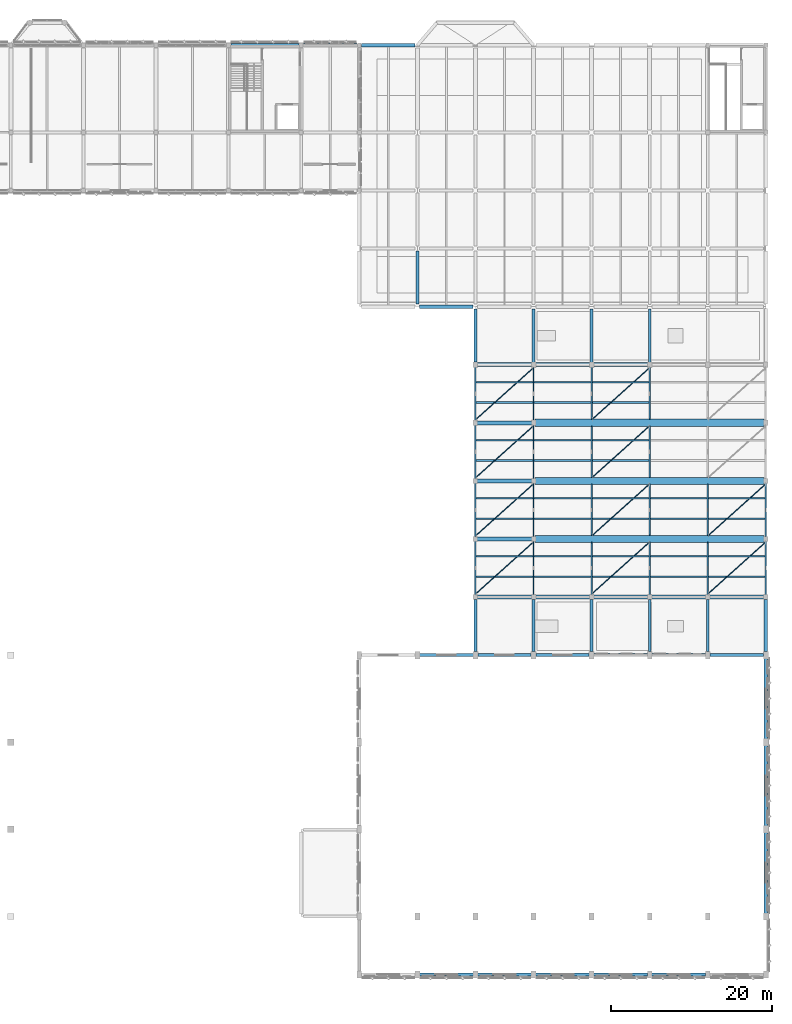
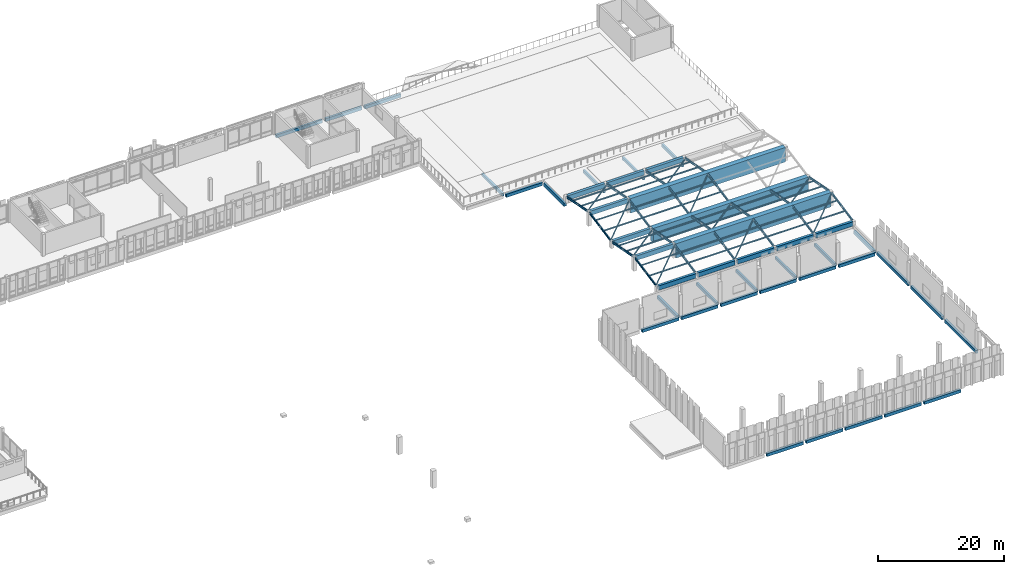
# One storey, part 46 of 72: 63 beams, 42 members.
"""IFC4 building model written with IfcOpenShell, lengths in metres."""

from ifc_helpers import new_model, si_unit, direction, frame, origin, origin_2d, place, context, subcontext, project, spatial, rectangle, hollow_circle, i_section, extrude, material, material_profile, profile_set, type_object, element, save


model = new_model("IFC4")

# Units and contexts
model_context = context("Model", 3, precision=1e-05, world=origin(), true_north=direction((0.0, 1.0)))
body_context = subcontext(model_context, "Body", "Model", "MODEL_VIEW")
ifc_project = project(units=[si_unit("LENGTHUNIT", "METRE"), si_unit("AREAUNIT", "SQUARE_METRE"), si_unit("VOLUMEUNIT", "CUBIC_METRE"), si_unit("PLANEANGLEUNIT", "RADIAN"), si_unit("MASSUNIT", "GRAM", prefix="KILO")], contexts=[model_context])

# Site, building, storey
site_placement = place(None, origin())
site = spatial("IfcSite", under=ifc_project, at=site_placement, CompositionType="ELEMENT")
building_placement = place(site_placement, origin())
building = spatial("IfcBuilding", under=site, at=building_placement, Name="Lusvemor Sports Hall", CompositionType="ELEMENT")
storey_placement = place(building_placement, frame((0.0, 0.0, 15.0)))
storey = spatial("IfcBuildingStorey", under=building, at=storey_placement, Name="L03", CompositionType="ELEMENT", Elevation=15.0)

# Beams
ifc_material_1 = material(Name="Concrete C40/50", Category="concrete")
ifc_material_profile_1 = material_profile(ifc_material_1, rectangle(XDim=0.35009765625, YDim=0.550048828125, at=origin_2d()), Name="RC350x550")
ifc_profile_set_1 = profile_set([ifc_material_profile_1], Name="Concrete C40/50")
beam_type_1 = type_object("IfcBeamType", Name="BEAM_RC_550", PredefinedType="BEAM", material=ifc_profile_set_1)
beam_1_placement = place(storey_placement, frame((126.0, 83.115966796875, -0.570068359375), z_axis=(0.0, 1.0, 0.0), x_axis=(-1.0, 0.0, 0.0)))
element("IfcBeam", 1, at=beam_1_placement, inside=storey, type_object=beam_type_1, Name="Beam L03 14:L-M", PredefinedType="BEAM", context=body_context, shape_type="SweptSolid", body=[
    extrude(rectangle(XDim=0.35009765625, YDim=0.550048828125, at=origin_2d()), origin(), (0.0, 0.0, 1.0), 6.568115234375),
])
beam_2_placement = place(storey_placement, frame((140.39990234375, 40.0458984375, -0.60498046875), z_axis=(0.0, 1.0, 0.0), x_axis=(-1.0, 0.0, 0.0)))
element("IfcBeam", 2, at=beam_2_placement, inside=storey, type_object=beam_type_1, Name="Beam L03 16:E-F", PredefinedType="BEAM", context=body_context, shape_type="SweptSolid", body=[
    extrude(rectangle(XDim=0.35009765625, YDim=0.550048828125, at=origin_2d()), origin(), (0.0, 0.0, 1.0), 6.4580078125),
])
beam_3_placement = place(storey_placement, frame((140.39990234375, 75.89599609375, -0.60498046875), z_axis=(0.0, 1.0, 0.0), x_axis=(-1.0, 0.0, 0.0)))
element("IfcBeam", 3, at=beam_3_placement, inside=storey, type_object=beam_type_1, Name="Beam L03 16:K-L", PredefinedType="BEAM", context=body_context, shape_type="SweptSolid", body=[
    extrude(rectangle(XDim=0.35009765625, YDim=0.550048828125, at=origin_2d()), origin(), (0.0, 0.0, 1.0), 6.60791015625),
])
beam_4_placement = place(storey_placement, frame((147.60009765625, 40.0458984375, -0.60498046875), z_axis=(0.0, 1.0, 0.0), x_axis=(-1.0, 0.0, 0.0)))
element("IfcBeam", 4, at=beam_4_placement, inside=storey, type_object=beam_type_1, Name="Beam L03 17:E-F", PredefinedType="BEAM", context=body_context, shape_type="SweptSolid", body=[
    extrude(rectangle(XDim=0.35009765625, YDim=0.550048828125, at=origin_2d()), origin(), (0.0, 0.0, 1.0), 6.4580078125),
])
beam_5_placement = place(storey_placement, frame((147.60009765625, 75.89599609375, -0.60498046875), z_axis=(0.0, 1.0, 0.0), x_axis=(-1.0, 0.0, 0.0)))
element("IfcBeam", 5, at=beam_5_placement, inside=storey, type_object=beam_type_1, Name="Beam L03 17:K-L", PredefinedType="BEAM", context=body_context, shape_type="SweptSolid", body=[
    extrude(rectangle(XDim=0.35009765625, YDim=0.550048828125, at=origin_2d()), origin(), (0.0, 0.0, 1.0), 6.60791015625),
])
beam_6_placement = place(storey_placement, frame((154.800048828125, 40.0458984375, -0.60498046875), z_axis=(0.0, 1.0, 0.0), x_axis=(-1.0, 0.0, 0.0)))
element("IfcBeam", 6, at=beam_6_placement, inside=storey, type_object=beam_type_1, Name="Beam L03 18:E-F", PredefinedType="BEAM", context=body_context, shape_type="SweptSolid", body=[
    extrude(rectangle(XDim=0.35009765625, YDim=0.550048828125, at=origin_2d()), origin(), (0.0, 0.0, 1.0), 6.4580078125),
])
beam_7_placement = place(storey_placement, frame((154.800048828125, 75.89599609375, -0.60498046875), z_axis=(0.0, 1.0, 0.0), x_axis=(-1.0, 0.0, 0.0)))
element("IfcBeam", 7, at=beam_7_placement, inside=storey, type_object=beam_type_1, Name="Beam L03 18:K-L", PredefinedType="BEAM", context=body_context, shape_type="SweptSolid", body=[
    extrude(rectangle(XDim=0.35009765625, YDim=0.550048828125, at=origin_2d()), origin(), (0.0, 0.0, 1.0), 6.60791015625),
])
beam_8_placement = place(storey_placement, frame((162.0, 40.0458984375, -0.60498046875), z_axis=(0.0, 1.0, 0.0), x_axis=(-1.0, 0.0, 0.0)))
element("IfcBeam", 8, at=beam_8_placement, inside=storey, type_object=beam_type_1, Name="Beam L03 19:E-F", PredefinedType="BEAM", context=body_context, shape_type="SweptSolid", body=[
    extrude(rectangle(XDim=0.35009765625, YDim=0.550048828125, at=origin_2d()), origin(), (0.0, 0.0, 1.0), 6.4580078125),
])
ifc_material_2 = material(Name="Steel S355", Category="steel")
ifc_material_profile_2 = material_profile(ifc_material_2, i_section(OverallWidth=0.177978515625, OverallDepth=0.406982421875, WebThickness=0.0078125, FlangeThickness=0.0126953125, FilletRadius=0.01611328125, at=origin_2d()), Name="W410x60.0")
ifc_profile_set_2 = profile_set([ifc_material_profile_2], Name="Steel S355")
beam_type_2 = type_object("IfcBeamType", Name="BEAM_ST_410", PredefinedType="BEAM", material=ifc_profile_set_2)
for number, where, z_axis, x_axis, name in (
    (9, (133.199951171875, 47.0400390625, 1.177978515625), (0.0, 0.98161594648, 0.190866795479), (-1.0, 0.0, 0.0), "Folded North-Light Rafter 15-1"),
    (10, (140.39990234375, 47.0400390625, 1.177978515625), (0.0, 0.98161594648, 0.190866795479), (-1.0, 0.0, 0.0), "Folded North-Light Rafter 16-1"),
):
    element("IfcBeam", number, at=place(storey_placement, frame(where, z_axis=z_axis, x_axis=x_axis)), inside=storey, type_object=beam_type_2, Name=name, PredefinedType="BEAM", context=body_context, shape_type="SweptSolid", body=[
        extrude(i_section(OverallWidth=0.177978515625, OverallDepth=0.406982421875, WebThickness=0.0078125, FlangeThickness=0.0126953125, FilletRadius=0.01611328125, at=origin_2d()), origin(), (0.0, 0.0, 1.0), 6.845703125),
    ])
for number, where, z_axis, x_axis, name in (
    (11, (147.60009765625, 47.0400390625, 1.177978515625), (0.0, 0.98162112817, 0.190840144442), (-1.0, 0.0, 0.0), "Folded North-Light Rafter 17-1"),
    (12, (154.800048828125, 47.0400390625, 1.177978515625), (0.0, 0.98162112817, 0.190840144442), (-1.0, 0.0, 0.0), "Folded North-Light Rafter 18-1"),
    (13, (162.0, 47.0400390625, 1.177978515625), (0.0, 0.98162112817, 0.190840144442), (-1.0, 0.0, 0.0), "Folded North-Light Rafter 19-1"),
):
    element("IfcBeam", number, at=place(storey_placement, frame(where, z_axis=z_axis, x_axis=x_axis)), inside=storey, type_object=beam_type_2, Name=name, PredefinedType="BEAM", context=body_context, shape_type="SweptSolid", body=[
        extrude(i_section(OverallWidth=0.177978515625, OverallDepth=0.406982421875, WebThickness=0.0078125, FlangeThickness=0.0126953125, FilletRadius=0.01611328125, at=origin_2d()), origin(), (0.0, 0.0, 1.0), 6.64208984375),
    ])
for number, where, z_axis, x_axis, name in (
    (14, (169.199951171875, 47.0400390625, 1.177978515625), (0.0, 0.98161594648, 0.190866795479), (-1.0, 0.0, 0.0), "Folded North-Light Rafter 20-1"),
    (15, (133.199951171875, 54.239990234375, 2.484619140625), (0.0, 0.98161594648, -0.190866795479), (-1.0, 0.0, 0.0), "Folded North-Light Rafter 15-2"),
    (16, (140.39990234375, 54.239990234375, 2.484619140625), (0.0, 0.98161594648, -0.190866795479), (-1.0, 0.0, 0.0), "Folded North-Light Rafter 16-2"),
):
    element("IfcBeam", number, at=place(storey_placement, frame(where, z_axis=z_axis, x_axis=x_axis)), inside=storey, type_object=beam_type_2, Name=name, PredefinedType="BEAM", context=body_context, shape_type="SweptSolid", body=[
        extrude(i_section(OverallWidth=0.177978515625, OverallDepth=0.406982421875, WebThickness=0.0078125, FlangeThickness=0.0126953125, FilletRadius=0.01611328125, at=origin_2d()), origin(), (0.0, 0.0, 1.0), 6.845703125),
    ])
for number, where, z_axis, x_axis, name in (
    (17, (147.60009765625, 54.43994140625, 2.445556640625), (0.0, 0.981619533788, -0.190848345253), (-1.0, 0.0, 0.0), "Folded North-Light Rafter 17-2"),
    (18, (154.800048828125, 54.43994140625, 2.445556640625), (0.0, 0.981619533788, -0.190848345253), (-1.0, 0.0, 0.0), "Folded North-Light Rafter 18-2"),
    (19, (162.0, 54.43994140625, 2.445556640625), (0.0, 0.981619533788, -0.190848345253), (-1.0, 0.0, 0.0), "Folded North-Light Rafter 19-2"),
):
    element("IfcBeam", number, at=place(storey_placement, frame(where, z_axis=z_axis, x_axis=x_axis)), inside=storey, type_object=beam_type_2, Name=name, PredefinedType="BEAM", context=body_context, shape_type="SweptSolid", body=[
        extrude(i_section(OverallWidth=0.177978515625, OverallDepth=0.406982421875, WebThickness=0.0078125, FlangeThickness=0.0126953125, FilletRadius=0.01611328125, at=origin_2d()), origin(), (0.0, 0.0, 1.0), 6.4384765625),
    ])
for number, where, z_axis, x_axis, name in (
    (20, (169.199951171875, 54.239990234375, 2.484619140625), (0.0, 0.98161594648, -0.190866795479), (-1.0, 0.0, 0.0), "Folded North-Light Rafter 20-2"),
    (21, (133.199951171875, 61.43994140625, 1.177978515625), (0.0, 0.98161594648, 0.190866795479), (-1.0, 0.0, 0.0), "Folded North-Light Rafter 15-3"),
    (22, (140.39990234375, 61.43994140625, 1.177978515625), (0.0, 0.98161594648, 0.190866795479), (-1.0, 0.0, 0.0), "Folded North-Light Rafter 16-3"),
):
    element("IfcBeam", number, at=place(storey_placement, frame(where, z_axis=z_axis, x_axis=x_axis)), inside=storey, type_object=beam_type_2, Name=name, PredefinedType="BEAM", context=body_context, shape_type="SweptSolid", body=[
        extrude(i_section(OverallWidth=0.177978515625, OverallDepth=0.406982421875, WebThickness=0.0078125, FlangeThickness=0.0126953125, FilletRadius=0.01611328125, at=origin_2d()), origin(), (0.0, 0.0, 1.0), 6.845703125),
    ])
for number, where, z_axis, x_axis, name in (
    (23, (147.60009765625, 61.639892578125, 1.216796875), (0.0, 0.981619533788, 0.190848345253), (-1.0, 0.0, 0.0), "Folded North-Light Rafter 17-3"),
    (24, (154.800048828125, 61.639892578125, 1.216796875), (0.0, 0.981619533788, 0.190848345253), (-1.0, 0.0, 0.0), "Folded North-Light Rafter 18-3"),
):
    element("IfcBeam", number, at=place(storey_placement, frame(where, z_axis=z_axis, x_axis=x_axis)), inside=storey, type_object=beam_type_2, Name=name, PredefinedType="BEAM", context=body_context, shape_type="SweptSolid", body=[
        extrude(i_section(OverallWidth=0.177978515625, OverallDepth=0.406982421875, WebThickness=0.0078125, FlangeThickness=0.0126953125, FilletRadius=0.01611328125, at=origin_2d()), origin(), (0.0, 0.0, 1.0), 6.4384765625),
    ])
for number, where, z_axis, x_axis, name in (
    (25, (133.199951171875, 68.639892578125, 2.484619140625), (0.0, 0.981617245609, -0.190860114019), (-1.0, 0.0, 0.0), "Folded North-Light Rafter 15-4"),
    (26, (140.39990234375, 68.639892578125, 2.484619140625), (0.0, 0.981617245609, -0.190860114019), (-1.0, 0.0, 0.0), "Folded North-Light Rafter 16-4"),
):
    element("IfcBeam", number, at=place(storey_placement, frame(where, z_axis=z_axis, x_axis=x_axis)), inside=storey, type_object=beam_type_2, Name=name, PredefinedType="BEAM", context=body_context, shape_type="SweptSolid", body=[
        extrude(i_section(OverallWidth=0.177978515625, OverallDepth=0.406982421875, WebThickness=0.0078125, FlangeThickness=0.0126953125, FilletRadius=0.01611328125, at=origin_2d()), origin(), (0.0, 0.0, 1.0), 6.845947265625),
    ])
for number, where, z_axis, x_axis, name in (
    (27, (147.60009765625, 68.840087890625, 2.445556640625), (0.0, 0.98162112817, -0.190840144442), (-1.0, 0.0, 0.0), "Folded North-Light Rafter 17-4"),
    (28, (154.800048828125, 68.840087890625, 2.445556640625), (0.0, 0.98162112817, -0.190840144442), (-1.0, 0.0, 0.0), "Folded North-Light Rafter 18-4"),
):
    element("IfcBeam", number, at=place(storey_placement, frame(where, z_axis=z_axis, x_axis=x_axis)), inside=storey, type_object=beam_type_2, Name=name, PredefinedType="BEAM", context=body_context, shape_type="SweptSolid", body=[
        extrude(i_section(OverallWidth=0.177978515625, OverallDepth=0.406982421875, WebThickness=0.0078125, FlangeThickness=0.0126953125, FilletRadius=0.01611328125, at=origin_2d()), origin(), (0.0, 0.0, 1.0), 6.64208984375),
    ])

# Members
ifc_material_3 = material(Name="Steel S355", Category="steel")
ifc_material_profile_3 = material_profile(ifc_material_3, hollow_circle(Radius=0.06982421875, WallThickness=0.008056640625, at=origin_2d()), Name="CHS139.7x8.0")
ifc_profile_set_3 = profile_set([ifc_material_profile_3], Name="Steel S355")
member_type_1 = type_object("IfcMemberType", Name="BRACE_CLIMB_139", PredefinedType="BRACE", material=ifc_profile_set_3)
for number, where, z_axis, x_axis, name in (
    (29, (133.280029296875, 47.239990234375, 1.070068359375), (0.736117708702, 0.660836424094, 0.146376021005), (-0.668031778841, 0.744132745187, 0.0), "Climbing Roof Brace 15-1"),
    (30, (147.679931640625, 47.239990234375, 1.070068359375), (0.736117708702, 0.660836424094, 0.146376021005), (-0.668031778841, 0.744132745187, 0.0), "Climbing Roof Brace 17-1"),
    (31, (162.080078125, 47.239990234375, 1.070068359375), (0.736117708702, 0.660836424094, 0.146376021005), (-0.668031778841, 0.744132745187, 0.0), "Climbing Roof Brace 19-1"),
    (32, (133.280029296875, 54.43994140625, 2.469970703125), (0.736117708702, 0.660836424094, -0.146376021005), (-0.668031778841, 0.744132745187, 0.0), "Climbing Roof Brace 15-2"),
    (33, (147.679931640625, 54.43994140625, 2.469970703125), (0.736117708702, 0.660836424094, -0.146376021005), (-0.668031778841, 0.744132745187, 0.0), "Climbing Roof Brace 17-2"),
    (34, (162.080078125, 54.43994140625, 2.469970703125), (0.736117708702, 0.660836424094, -0.146376021005), (-0.668031778841, 0.744132745187, 0.0), "Climbing Roof Brace 19-2"),
    (35, (133.280029296875, 61.639892578125, 1.070068359375), (0.736117708702, 0.660836424094, 0.146376021005), (-0.668031778841, 0.744132745187, 0.0), "Climbing Roof Brace 15-3"),
    (36, (147.679931640625, 61.639892578125, 1.070068359375), (0.736117708702, 0.660836424094, 0.146376021005), (-0.668031778841, 0.744132745187, 0.0), "Climbing Roof Brace 17-3"),
):
    element("IfcMember", number, at=place(storey_placement, frame(where, z_axis=z_axis, x_axis=x_axis)), inside=storey, type_object=member_type_1, Name=name, PredefinedType="BRACE", context=body_context, shape_type="SweptSolid", body=[
        extrude(hollow_circle(Radius=0.06982421875, WallThickness=0.008056640625, at=origin_2d()), origin(), (0.0, 0.0, 1.0), 9.563720703125),
    ])
for number, where, z_axis, x_axis, name in (
    (37, (133.280029296875, 68.840087890625, 2.469970703125), (0.736130126829, 0.66082204408, -0.146378490333), (-0.668017488997, 0.744145573388, 0.0), "Climbing Roof Brace 15-4"),
    (38, (147.679931640625, 68.840087890625, 2.469970703125), (0.736130126829, 0.66082204408, -0.146378490333), (-0.668017488997, 0.744145573388, 0.0), "Climbing Roof Brace 17-4"),
):
    element("IfcMember", number, at=place(storey_placement, frame(where, z_axis=z_axis, x_axis=x_axis)), inside=storey, type_object=member_type_1, Name=name, PredefinedType="BRACE", context=body_context, shape_type="SweptSolid", body=[
        extrude(hollow_circle(Radius=0.06982421875, WallThickness=0.008056640625, at=origin_2d()), origin(), (0.0, 0.0, 1.0), 9.5634765625),
    ])

# Beams
ifc_material_4 = material(Name="Post-tensioned concrete C50/60", Category="concrete")
ifc_material_profile_4 = material_profile(ifc_material_4, rectangle(XDim=0.89990234375, YDim=2.800048828125, at=origin_2d()), Name="RC900x2800")
ifc_profile_set_4 = profile_set([ifc_material_profile_4], Name="Post-tensioned concrete C50/60")
beam_type_3 = type_object("IfcBeamType", Name="GIRD_CLIMB_2800", PredefinedType="T_BEAM", material=ifc_profile_set_4)
for number, where, z_axis, x_axis, name in (
    (39, (140.60009765625, 54.0, 1.35009765625), (1.0, 0.0, 0.0), (0.0, 1.0, 0.0), "Climbing Hall Long-Span Roof Girder G"),
    (40, (140.60009765625, 61.199951171875, -0.050048828125), (1.0, 0.0, 0.0), (0.0, 1.0, 0.0), "Climbing Hall Long-Span Roof Girder H"),
    (41, (140.60009765625, 68.39990234375, 1.35009765625), (1.0, 0.0, 0.0), (0.0, 1.0, 0.0), "Climbing Hall Long-Span Roof Girder J"),
):
    element("IfcBeam", number, at=place(storey_placement, frame(where, z_axis=z_axis, x_axis=x_axis)), inside=storey, type_object=beam_type_3, Name=name, PredefinedType="T_BEAM", context=body_context, shape_type="SweptSolid", body=[
        extrude(rectangle(XDim=0.89990234375, YDim=2.800048828125, at=origin_2d()), origin(), (0.0, 0.0, 1.0), 28.39990234375),
    ])
ifc_material_5 = material(Name="Concrete C40/50", Category="concrete")
ifc_material_profile_5 = material_profile(ifc_material_5, rectangle(XDim=0.5, YDim=0.85009765625, at=origin_2d()), Name="RC500x850")
ifc_profile_set_5 = profile_set([ifc_material_profile_5], Name="Concrete C40/50")
beam_type_4 = type_object("IfcBeamType", Name="GIRD_RC_850", PredefinedType="T_BEAM", material=ifc_profile_set_5)
beam_9_placement = place(storey_placement, frame((133.39990234375, 46.800048828125, 0.925048828125), z_axis=(1.0, 0.0, 0.0), x_axis=(0.0, 1.0, 0.0)))
element("IfcBeam", 42, at=beam_9_placement, inside=storey, type_object=beam_type_4, Name="Climbing Gallery Roof Girder F", PredefinedType="T_BEAM", context=body_context, shape_type="SweptSolid", body=[
    extrude(rectangle(XDim=0.5, YDim=0.85009765625, at=origin_2d()), origin(), (0.0, 0.0, 1.0), 6.800048828125),
])
beam_10_placement = place(storey_placement, frame((140.6201171875, 46.800048828125, 0.925048828125), z_axis=(1.0, 0.0, 0.0), x_axis=(0.0, 1.0, 0.0)))
element("IfcBeam", 43, at=beam_10_placement, inside=storey, type_object=beam_type_4, Name="Climbing Perimeter Eave Girder F:16-17", PredefinedType="T_BEAM", context=body_context, shape_type="SweptSolid", body=[
    extrude(rectangle(XDim=0.5, YDim=0.85009765625, at=origin_2d()), origin(), (0.0, 0.0, 1.0), 6.759765625),
])
for number, where, z_axis, x_axis, name in (
    (44, (147.820068359375, 46.800048828125, 0.925048828125), (1.0, 0.0, 0.0), (0.0, 1.0, 0.0), "Climbing Perimeter Eave Girder F:17-18"),
    (45, (155.02001953125, 46.800048828125, 0.925048828125), (1.0, 0.0, 0.0), (0.0, 1.0, 0.0), "Climbing Perimeter Eave Girder F:18-19"),
    (46, (162.219970703125, 46.800048828125, 0.925048828125), (1.0, 0.0, 0.0), (0.0, 1.0, 0.0), "Climbing Perimeter Eave Girder F:19-20"),
):
    element("IfcBeam", number, at=place(storey_placement, frame(where, z_axis=z_axis, x_axis=x_axis)), inside=storey, type_object=beam_type_4, Name=name, PredefinedType="T_BEAM", context=body_context, shape_type="SweptSolid", body=[
        extrude(rectangle(XDim=0.5, YDim=0.85009765625, at=origin_2d()), origin(), (0.0, 0.0, 1.0), 6.760009765625),
    ])
for number, where, z_axis, x_axis, name in (
    (47, (133.39990234375, 54.0, 2.324951171875), (1.0, 0.0, 0.0), (0.0, 1.0, 0.0), "Climbing Gallery Roof Girder G"),
    (48, (133.39990234375, 61.199951171875, 0.925048828125), (1.0, 0.0, 0.0), (0.0, 1.0, 0.0), "Climbing Gallery Roof Girder H"),
    (49, (133.39990234375, 68.39990234375, 2.324951171875), (1.0, 0.0, 0.0), (0.0, 1.0, 0.0), "Climbing Gallery Roof Girder J"),
    (50, (133.39990234375, 75.60009765625, 0.925048828125), (1.0, 0.0, 0.0), (0.0, 1.0, 0.0), "Climbing Gallery Roof Girder K"),
):
    element("IfcBeam", number, at=place(storey_placement, frame(where, z_axis=z_axis, x_axis=x_axis)), inside=storey, type_object=beam_type_4, Name=name, PredefinedType="T_BEAM", context=body_context, shape_type="SweptSolid", body=[
        extrude(rectangle(XDim=0.5, YDim=0.85009765625, at=origin_2d()), origin(), (0.0, 0.0, 1.0), 6.800048828125),
    ])
beam_11_placement = place(storey_placement, frame((140.6201171875, 75.60009765625, 0.925048828125), z_axis=(1.0, 0.0, 0.0), x_axis=(0.0, 1.0, 0.0)))
element("IfcBeam", 51, at=beam_11_placement, inside=storey, type_object=beam_type_4, Name="Climbing Perimeter Eave Girder K:16-17", PredefinedType="T_BEAM", context=body_context, shape_type="SweptSolid", body=[
    extrude(rectangle(XDim=0.5, YDim=0.85009765625, at=origin_2d()), origin(), (0.0, 0.0, 1.0), 6.759765625),
])
beam_12_placement = place(storey_placement, frame((147.820068359375, 75.60009765625, 0.925048828125), z_axis=(1.0, 0.0, 0.0), x_axis=(0.0, 1.0, 0.0)))
element("IfcBeam", 52, at=beam_12_placement, inside=storey, type_object=beam_type_4, Name="Climbing Perimeter Eave Girder K:17-18", PredefinedType="T_BEAM", context=body_context, shape_type="SweptSolid", body=[
    extrude(rectangle(XDim=0.5, YDim=0.85009765625, at=origin_2d()), origin(), (0.0, 0.0, 1.0), 6.760009765625),
])

# Members
ifc_material_6 = material(Name="Steel S355", Category="steel")
ifc_material_profile_6 = material_profile(ifc_material_6, i_section(OverallWidth=0.202880859375, OverallDepth=0.202880859375, WebThickness=0.007080078125, FlangeThickness=0.010986328125, FilletRadius=0.010009765625, at=origin_2d()), Name="W200x46.1")
ifc_profile_set_6 = profile_set([ifc_material_profile_6], Name="Steel S355")
member_type_2 = type_object("IfcMemberType", Name="PURL_CLIMB_200H", PredefinedType="PURLIN", material=ifc_profile_set_6)
for number, where, z_axis, x_axis, name in (
    (53, (133.280029296875, 49.320068359375, 1.709228515625), (1.0, 0.0, 0.0), (0.0, 1.0, 0.0), "Sawtooth Purlin 15-1-1"),
    (54, (140.47998046875, 49.320068359375, 1.709228515625), (1.0, 0.0, 0.0), (0.0, 1.0, 0.0), "Sawtooth Purlin 16-1-1"),
    (55, (147.679931640625, 49.320068359375, 1.709228515625), (1.0, 0.0, 0.0), (0.0, 1.0, 0.0), "Sawtooth Purlin 17-1-1"),
    (56, (154.8798828125, 49.320068359375, 1.709228515625), (1.0, 0.0, 0.0), (0.0, 1.0, 0.0), "Sawtooth Purlin 18-1-1"),
    (57, (162.080078125, 49.320068359375, 1.709228515625), (1.0, 0.0, 0.0), (0.0, 1.0, 0.0), "Sawtooth Purlin 19-1-1"),
    (58, (133.280029296875, 56.52001953125, 2.12939453125), (1.0, 0.0, 0.0), (0.0, 1.0, 0.0), "Sawtooth Purlin 15-2-1"),
    (59, (140.47998046875, 56.52001953125, 2.12939453125), (1.0, 0.0, 0.0), (0.0, 1.0, 0.0), "Sawtooth Purlin 16-2-1"),
    (60, (147.679931640625, 56.52001953125, 2.12939453125), (1.0, 0.0, 0.0), (0.0, 1.0, 0.0), "Sawtooth Purlin 17-2-1"),
    (61, (154.8798828125, 56.52001953125, 2.12939453125), (1.0, 0.0, 0.0), (0.0, 1.0, 0.0), "Sawtooth Purlin 18-2-1"),
    (62, (162.080078125, 56.52001953125, 2.12939453125), (1.0, 0.0, 0.0), (0.0, 1.0, 0.0), "Sawtooth Purlin 19-2-1"),
    (63, (133.280029296875, 63.719970703125, 1.709228515625), (1.0, 0.0, 0.0), (0.0, 1.0, 0.0), "Sawtooth Purlin 15-3-1"),
    (64, (140.47998046875, 63.719970703125, 1.709228515625), (1.0, 0.0, 0.0), (0.0, 1.0, 0.0), "Sawtooth Purlin 16-3-1"),
    (65, (147.679931640625, 63.719970703125, 1.709228515625), (1.0, 0.0, 0.0), (0.0, 1.0, 0.0), "Sawtooth Purlin 17-3-1"),
    (66, (133.280029296875, 70.919921875, 2.12939453125), (1.0, 0.0, 0.0), (0.0, 1.0, 0.0), "Sawtooth Purlin 15-4-1"),
    (67, (140.47998046875, 70.919921875, 2.12939453125), (1.0, 0.0, 0.0), (0.0, 1.0, 0.0), "Sawtooth Purlin 16-4-1"),
    (68, (147.679931640625, 70.919921875, 2.12939453125), (1.0, 0.0, 0.0), (0.0, 1.0, 0.0), "Sawtooth Purlin 17-4-1"),
):
    element("IfcMember", number, at=place(storey_placement, frame(where, z_axis=z_axis, x_axis=x_axis)), inside=storey, type_object=member_type_2, Name=name, PredefinedType="PURLIN", context=body_context, shape_type="SweptSolid", body=[
        extrude(i_section(OverallWidth=0.202880859375, OverallDepth=0.202880859375, WebThickness=0.007080078125, FlangeThickness=0.010986328125, FilletRadius=0.010009765625, at=origin_2d()), origin(), (0.0, 0.0, 1.0), 7.0400390625),
    ])
ifc_material_7 = material(Name="Steel S355", Category="steel")
ifc_material_profile_7 = material_profile(ifc_material_7, i_section(OverallWidth=0.1650390625, OverallDepth=0.200927734375, WebThickness=0.006103515625, FlangeThickness=0.01025390625, FilletRadius=0.010009765625, at=origin_2d()), Name="W200x35.9")
ifc_profile_set_7 = profile_set([ifc_material_profile_7], Name="Steel S355")
member_type_3 = type_object("IfcMemberType", Name="PURL_CLIMB_200M", PredefinedType="PURLIN", material=ifc_profile_set_7)
for number, where, z_axis, x_axis, name in (
    (69, (133.280029296875, 51.840087890625, 2.2041015625), (1.0, 0.0, 0.0), (0.0, 1.0, 0.0), "Sawtooth Purlin 15-1-2"),
    (70, (140.47998046875, 51.840087890625, 2.2041015625), (1.0, 0.0, 0.0), (0.0, 1.0, 0.0), "Sawtooth Purlin 16-1-2"),
    (71, (147.679931640625, 51.840087890625, 2.2041015625), (1.0, 0.0, 0.0), (0.0, 1.0, 0.0), "Sawtooth Purlin 17-1-2"),
    (72, (154.8798828125, 51.840087890625, 2.2041015625), (1.0, 0.0, 0.0), (0.0, 1.0, 0.0), "Sawtooth Purlin 18-1-2"),
    (73, (162.080078125, 51.840087890625, 2.2041015625), (1.0, 0.0, 0.0), (0.0, 1.0, 0.0), "Sawtooth Purlin 19-1-2"),
    (74, (133.280029296875, 59.0400390625, 1.64404296875), (1.0, 0.0, 0.0), (0.0, 1.0, 0.0), "Sawtooth Purlin 15-2-2"),
    (75, (140.47998046875, 59.0400390625, 1.64404296875), (1.0, 0.0, 0.0), (0.0, 1.0, 0.0), "Sawtooth Purlin 16-2-2"),
    (76, (147.679931640625, 59.0400390625, 1.64404296875), (1.0, 0.0, 0.0), (0.0, 1.0, 0.0), "Sawtooth Purlin 17-2-2"),
    (77, (154.8798828125, 59.0400390625, 1.64404296875), (1.0, 0.0, 0.0), (0.0, 1.0, 0.0), "Sawtooth Purlin 18-2-2"),
    (78, (162.080078125, 59.0400390625, 1.64404296875), (1.0, 0.0, 0.0), (0.0, 1.0, 0.0), "Sawtooth Purlin 19-2-2"),
    (79, (133.280029296875, 66.239990234375, 2.2041015625), (1.0, 0.0, 0.0), (0.0, 1.0, 0.0), "Sawtooth Purlin 15-3-2"),
    (80, (140.47998046875, 66.239990234375, 2.2041015625), (1.0, 0.0, 0.0), (0.0, 1.0, 0.0), "Sawtooth Purlin 16-3-2"),
    (81, (147.679931640625, 66.239990234375, 2.2041015625), (1.0, 0.0, 0.0), (0.0, 1.0, 0.0), "Sawtooth Purlin 17-3-2"),
    (82, (133.280029296875, 73.43994140625, 1.64404296875), (1.0, 0.0, 0.0), (0.0, 1.0, 0.0), "Sawtooth Purlin 15-4-2"),
    (83, (140.47998046875, 73.43994140625, 1.64404296875), (1.0, 0.0, 0.0), (0.0, 1.0, 0.0), "Sawtooth Purlin 16-4-2"),
    (84, (147.679931640625, 73.43994140625, 1.64404296875), (1.0, 0.0, 0.0), (0.0, 1.0, 0.0), "Sawtooth Purlin 17-4-2"),
):
    element("IfcMember", number, at=place(storey_placement, frame(where, z_axis=z_axis, x_axis=x_axis)), inside=storey, type_object=member_type_3, Name=name, PredefinedType="PURLIN", context=body_context, shape_type="SweptSolid", body=[
        extrude(i_section(OverallWidth=0.1650390625, OverallDepth=0.200927734375, WebThickness=0.006103515625, FlangeThickness=0.01025390625, FilletRadius=0.010009765625, at=origin_2d()), origin(), (0.0, 0.0, 1.0), 7.0400390625),
    ])

# Beams
ifc_material_8 = material(Name="Concrete C40/50", Category="concrete")
ifc_material_profile_8 = material_profile(ifc_material_8, rectangle(XDim=0.39990234375, YDim=0.610107421875, at=origin_2d()), Name="RC400x610")
ifc_profile_set_8 = profile_set([ifc_material_profile_8], Name="Concrete C40/50")
beam_type_5 = type_object("IfcBeamType", Name="SPAND_EXT_650", PredefinedType="SPANDREL", material=ifc_profile_set_8)
for number, where, z_axis, x_axis, name in (
    (85, (133.49609375, 39.60009765625, -0.635009765625), (1.0, 0.0, 0.0), (0.0, 1.0, 0.0), "Beam L03 E:15-16"),
    (86, (140.696044921875, 39.60009765625, -0.635009765625), (1.0, 0.0, 0.0), (0.0, 1.0, 0.0), "Beam L03 E:16-17"),
    (87, (147.89599609375, 39.60009765625, -0.635009765625), (1.0, 0.0, 0.0), (0.0, 1.0, 0.0), "Beam L03 E:17-18"),
):
    element("IfcBeam", number, at=place(storey_placement, frame(where, z_axis=z_axis, x_axis=x_axis)), inside=storey, type_object=beam_type_5, Name=name, PredefinedType="SPANDREL", context=body_context, shape_type="SweptSolid", body=[
        extrude(rectangle(XDim=0.39990234375, YDim=0.610107421875, at=origin_2d()), origin(), (0.0, 0.0, 1.0), 6.60791015625),
    ])
for number, where, z_axis, x_axis, name in (
    (88, (155.095947265625, 39.60009765625, -0.635009765625), (1.0, 0.0, 0.0), (0.0, 1.0, 0.0), "Beam L03 E:18-19"),
    (89, (162.2958984375, 39.60009765625, -0.635009765625), (1.0, 0.0, 0.0), (0.0, 1.0, 0.0), "Beam L03 E:19-20"),
):
    element("IfcBeam", number, at=place(storey_placement, frame(where, z_axis=z_axis, x_axis=x_axis)), inside=storey, type_object=beam_type_5, Name=name, PredefinedType="SPANDREL", context=body_context, shape_type="SweptSolid", body=[
        extrude(rectangle(XDim=0.39990234375, YDim=0.610107421875, at=origin_2d()), origin(), (0.0, 0.0, 1.0), 6.608154296875),
    ])
beam_13_placement = place(storey_placement, frame((126.27587890625, 82.800048828125, -0.60009765625), z_axis=(1.0, 0.0, 0.0), x_axis=(0.0, 1.0, 0.0)))
element("IfcBeam", 90, at=beam_13_placement, inside=storey, type_object=beam_type_5, Name="Beam L03 L:14-15", PredefinedType="SPANDREL", context=body_context, shape_type="SweptSolid", body=[
    extrude(rectangle(XDim=0.39990234375, YDim=0.610107421875, at=origin_2d()), origin(), (0.0, 0.0, 1.0), 6.648193359375),
])
beam_14_placement = place(storey_placement, frame((102.8759765625, 115.199951171875, -0.544921875), z_axis=(1.0, 0.0, 0.0), x_axis=(0.0, 1.0, 0.0)))
element("IfcBeam", 91, at=beam_14_placement, inside=storey, type_object=beam_type_5, Name="Beam L03 Q:11-12", PredefinedType="SPANDREL", context=body_context, shape_type="SweptSolid", body=[
    extrude(rectangle(XDim=0.39990234375, YDim=0.610107421875, at=origin_2d()), origin(), (0.0, 0.0, 1.0), 8.447998046875),
])
beam_15_placement = place(storey_placement, frame((111.8759765625, 115.199951171875, -0.544921875), z_axis=(1.0, 0.0, 0.0), x_axis=(0.0, 1.0, 0.0)))
element("IfcBeam", 92, at=beam_15_placement, inside=storey, type_object=beam_type_5, Name="Beam L03 Q:12-13", PredefinedType="SPANDREL", context=body_context, shape_type="SweptSolid", body=[
    extrude(rectangle(XDim=0.39990234375, YDim=0.610107421875, at=origin_2d()), origin(), (0.0, 0.0, 1.0), 6.64794921875),
])
beam_16_placement = place(storey_placement, frame((119.075927734375, 115.199951171875, -0.60009765625), z_axis=(1.0, 0.0, 0.0), x_axis=(0.0, 1.0, 0.0)))
element("IfcBeam", 93, at=beam_16_placement, inside=storey, type_object=beam_type_5, Name="Beam L03 Q:13-14", PredefinedType="SPANDREL", context=body_context, shape_type="SweptSolid", body=[
    extrude(rectangle(XDim=0.39990234375, YDim=0.610107421875, at=origin_2d()), origin(), (0.0, 0.0, 1.0), 6.648193359375),
])
beam_17_placement = place(storey_placement, frame((133.199951171875, 40.0458984375, -0.635009765625), z_axis=(0.0, 1.0, 0.0), x_axis=(-1.0, 0.0, 0.0)))
element("IfcBeam", 94, at=beam_17_placement, inside=storey, type_object=beam_type_5, Name="Beam L03 15:E-F", PredefinedType="SPANDREL", context=body_context, shape_type="SweptSolid", body=[
    extrude(rectangle(XDim=0.39990234375, YDim=0.610107421875, at=origin_2d()), origin(), (0.0, 0.0, 1.0), 6.43798828125),
])
beam_18_placement = place(storey_placement, frame((133.199951171875, 75.916015625, -0.635009765625), z_axis=(0.0, 1.0, 0.0), x_axis=(-1.0, 0.0, 0.0)))
element("IfcBeam", 95, at=beam_18_placement, inside=storey, type_object=beam_type_5, Name="Beam L03 15:K-L", PredefinedType="SPANDREL", context=body_context, shape_type="SweptSolid", body=[
    extrude(rectangle(XDim=0.39990234375, YDim=0.610107421875, at=origin_2d()), origin(), (0.0, 0.0, 1.0), 6.56787109375),
])
beam_19_placement = place(storey_placement, frame((169.199951171875, 40.0458984375, -0.635009765625), z_axis=(0.0, 1.0, 0.0), x_axis=(-1.0, 0.0, 0.0)))
element("IfcBeam", 96, at=beam_19_placement, inside=storey, type_object=beam_type_5, Name="Beam L03 20:E-F", PredefinedType="SPANDREL", context=body_context, shape_type="SweptSolid", body=[
    extrude(rectangle(XDim=0.39990234375, YDim=0.610107421875, at=origin_2d()), origin(), (0.0, 0.0, 1.0), 6.43798828125),
])
for number, where, z_axis, x_axis, name in (
    (97, (169.199951171875, 7.60009765625, -0.304931640625), (0.0, 1.0, 0.0), (-1.0, 0.0, 0.0), "East Court Facade Girt L03-1"),
    (98, (169.199951171875, 18.39990234375, -0.304931640625), (0.0, 1.0, 0.0), (-1.0, 0.0, 0.0), "East Court Facade Girt L03-2"),
    (99, (169.199951171875, 29.199951171875, -0.304931640625), (0.0, 1.0, 0.0), (-1.0, 0.0, 0.0), "East Court Facade Girt L03-3"),
):
    element("IfcBeam", number, at=place(storey_placement, frame(where, z_axis=z_axis, x_axis=x_axis)), inside=storey, type_object=beam_type_5, Name=name, PredefinedType="SPANDREL", context=body_context, shape_type="SweptSolid", body=[
        extrude(rectangle(XDim=0.39990234375, YDim=0.610107421875, at=origin_2d()), origin(), (0.0, 0.0, 1.0), 10.0),
    ])
for number, where, z_axis, x_axis, name in (
    (100, (126.25, 0.0, -0.570068359375), (1.0, 0.0, 0.0), (0.0, 1.0, 0.0), "East Court South Clerestory Girt L03-1"),
    (101, (126.25, 39.60009765625, -0.570068359375), (1.0, 0.0, 0.0), (0.0, 1.0, 0.0), "East Court North Clerestory Girt L03-1"),
    (102, (133.449951171875, 0.0, -0.570068359375), (1.0, 0.0, 0.0), (0.0, 1.0, 0.0), "East Court South Clerestory Girt L03-2"),
):
    element("IfcBeam", number, at=place(storey_placement, frame(where, z_axis=z_axis, x_axis=x_axis)), inside=storey, type_object=beam_type_5, Name=name, PredefinedType="SPANDREL", context=body_context, shape_type="SweptSolid", body=[
        extrude(rectangle(XDim=0.39990234375, YDim=0.610107421875, at=origin_2d()), origin(), (0.0, 0.0, 1.0), 6.699951171875),
    ])
beam_20_placement = place(storey_placement, frame((140.64990234375, 0.0, -0.570068359375), z_axis=(1.0, 0.0, 0.0), x_axis=(0.0, 1.0, 0.0)))
element("IfcBeam", 103, at=beam_20_placement, inside=storey, type_object=beam_type_5, Name="East Court South Clerestory Girt L03-3", PredefinedType="SPANDREL", context=body_context, shape_type="SweptSolid", body=[
    extrude(rectangle(XDim=0.39990234375, YDim=0.610107421875, at=origin_2d()), origin(), (0.0, 0.0, 1.0), 6.7001953125),
])
for number, where, z_axis, x_axis, name in (
    (104, (147.85009765625, 0.0, -0.570068359375), (1.0, 0.0, 0.0), (0.0, 1.0, 0.0), "East Court South Clerestory Girt L03-4"),
    (105, (155.050048828125, 0.0, -0.570068359375), (1.0, 0.0, 0.0), (0.0, 1.0, 0.0), "East Court South Clerestory Girt L03-5"),
):
    element("IfcBeam", number, at=place(storey_placement, frame(where, z_axis=z_axis, x_axis=x_axis)), inside=storey, type_object=beam_type_5, Name=name, PredefinedType="SPANDREL", context=body_context, shape_type="SweptSolid", body=[
        extrude(rectangle(XDim=0.39990234375, YDim=0.610107421875, at=origin_2d()), origin(), (0.0, 0.0, 1.0), 6.699951171875),
    ])

save(model, "model.ifc")
